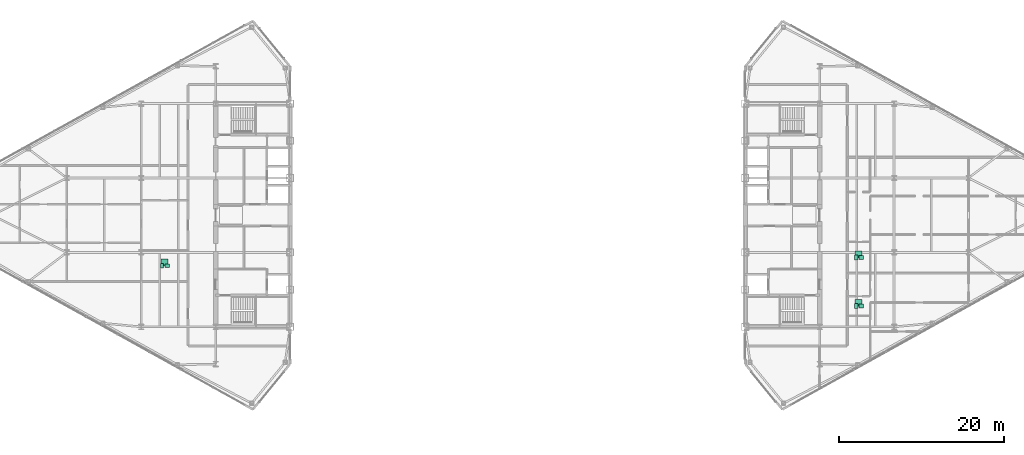
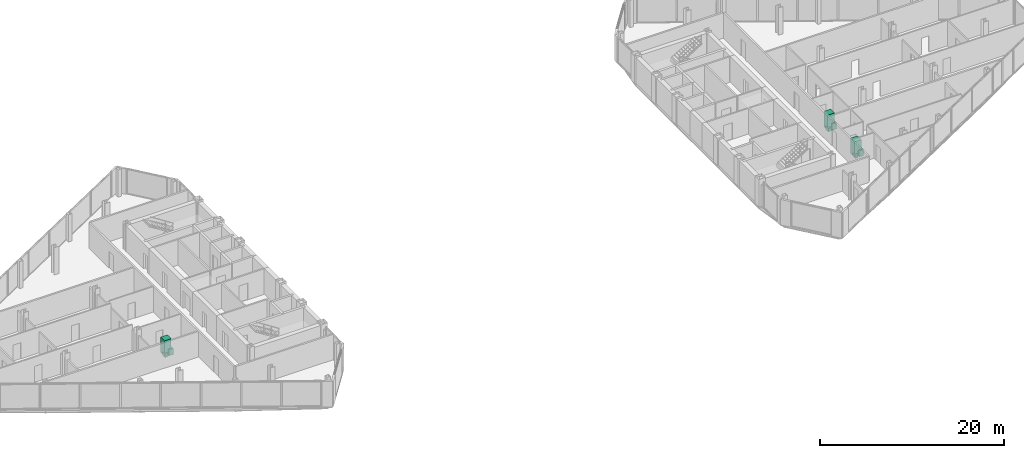
# One storey, part 26 of 26: 9 sanitary terminals.
"""IFC4 building model written with IfcOpenShell, lengths in metres."""

from ifc_helpers import new_model, si_unit, direction, frame, origin, origin_2d, place, context, subcontext, project, spatial, rectangle, extrude, source, transform, mapped, material, type_object, type_shapes, element, save


model = new_model("IFC4")

# Units and contexts
model_context = context("Model", 3, precision=1e-05, world=origin(), true_north=direction((0.0, 1.0)))
body_context = subcontext(model_context, "Body", "Model", "MODEL_VIEW")
ifc_project = project(units=[si_unit("LENGTHUNIT", "METRE"), si_unit("AREAUNIT", "SQUARE_METRE"), si_unit("VOLUMEUNIT", "CUBIC_METRE"), si_unit("PLANEANGLEUNIT", "RADIAN"), si_unit("MASSUNIT", "GRAM", prefix="KILO")], contexts=[model_context])

# Site, building, storey
site_placement = place(None, origin())
site = spatial("IfcSite", under=ifc_project, at=site_placement, CompositionType="ELEMENT")
building_placement = place(site_placement, origin())
building = spatial("IfcBuilding", under=site, at=building_placement, Name="Seokmaru Belvedere", CompositionType="ELEMENT")
storey_placement = place(building_placement, frame((0.0, 0.0, 170.699951171875)))
storey = spatial("IfcBuildingStorey", under=building, at=storey_placement, Name="L45", CompositionType="ELEMENT", Elevation=170.699951171875)

# Sanitary terminals
ifc_material_1 = material(Name="Vitreous China Sanitaryware")
sanitary_terminal_type_1 = type_object("IfcSanitaryTerminalType", Name="Wall-Hung Vitreous China WC Pan", PredefinedType="TOILETPAN", material=ifc_material_1)
shared_shape_1 = source(origin(), body_context, "Body", "SweptSolid", [
    extrude(rectangle(XDim=0.3798828125, YDim=0.56005859375, at=origin_2d()), origin(), (0.0, 0.0, 1.0), 0.419921875),
])
type_shapes(sanitary_terminal_type_1, [shared_shape_1])
for number, where, z_axis, x_axis, name in (
    (1, (-42.97509765625, -6.111083984375, 0.0), (0.0, 0.0, 1.0), (1.0, 0.0, 0.0), "L45 Vitreous China WC 0235"),
    (2, (40.925048828125, -10.969970703125, 0.0), (0.0, 0.0, 1.0), (1.0, 0.0, 0.0), "L45 Vitreous China WC 0236"),
    (3, (40.925048828125, -5.111083984375, 0.0), (0.0, 0.0, 1.0), (1.0, 0.0, 0.0), "L45 Vitreous China WC 0237"),
):
    element("IfcSanitaryTerminal", number, at=place(storey_placement, frame(where, z_axis=z_axis, x_axis=x_axis)), inside=storey, type_object=sanitary_terminal_type_1, Name=name, PredefinedType="TOILETPAN", context=body_context, shape_type="MappedRepresentation", body=[
        mapped(shared_shape_1, transform((0.0, 0.0, 0.0), scale=1.0)),
    ])
sanitary_terminal_type_2 = type_object("IfcSanitaryTerminalType", Name="Countertop Ceramic Washhand Basin", PredefinedType="WASHHANDBASIN", material=ifc_material_1)
shared_shape_2 = source(origin(), body_context, "Body", "SweptSolid", [
    extrude(rectangle(XDim=0.550048828125, YDim=0.449951171875, at=origin_2d()), origin(), (0.0, 0.0, 1.0), 0.820068359375),
])
type_shapes(sanitary_terminal_type_2, [shared_shape_2])
for number, where, z_axis, x_axis, name in (
    (4, (-42.375, -6.111083984375, 0.0), (0.0, 0.0, 1.0), (1.0, 0.0, 0.0), "L45 Ceramic Washhand Basin 0235"),
    (5, (41.52490234375, -10.969970703125, 0.0), (0.0, 0.0, 1.0), (1.0, 0.0, 0.0), "L45 Ceramic Washhand Basin 0236"),
    (6, (41.52490234375, -5.111083984375, 0.0), (0.0, 0.0, 1.0), (1.0, 0.0, 0.0), "L45 Ceramic Washhand Basin 0237"),
):
    element("IfcSanitaryTerminal", number, at=place(storey_placement, frame(where, z_axis=z_axis, x_axis=x_axis)), inside=storey, type_object=sanitary_terminal_type_2, Name=name, PredefinedType="WASHHANDBASIN", context=body_context, shape_type="MappedRepresentation", body=[
        mapped(shared_shape_2, transform((0.0, 0.0, 0.0), scale=1.0)),
    ])
ifc_material_2 = material(Name="Stainless Steel 316", Category="steel")
sanitary_terminal_type_3 = type_object("IfcSanitaryTerminalType", Name="Walk-In Thermostatic Rain Shower Enclosure", PredefinedType="SHOWER", material=ifc_material_2)
shared_shape_3 = source(origin(), body_context, "Body", "SweptSolid", [
    extrude(rectangle(XDim=0.85009765625, YDim=0.85009765625, at=origin_2d()), origin(), (0.0, 0.0, 1.0), 2.050048828125),
])
type_shapes(sanitary_terminal_type_3, [shared_shape_3])
for number, where, z_axis, x_axis, name in (
    (7, (-42.675048828125, -5.73095703125, 0.0), (0.0, 0.0, 1.0), (1.0, 0.0, 0.0), "L45 Walk-In Shower 0235"),
    (8, (41.22509765625, -10.590087890625, 0.0), (0.0, 0.0, 1.0), (1.0, 0.0, 0.0), "L45 Walk-In Shower 0236"),
    (9, (41.22509765625, -4.73095703125, 0.0), (0.0, 0.0, 1.0), (1.0, 0.0, 0.0), "L45 Walk-In Shower 0237"),
):
    element("IfcSanitaryTerminal", number, at=place(storey_placement, frame(where, z_axis=z_axis, x_axis=x_axis)), inside=storey, type_object=sanitary_terminal_type_3, Name=name, PredefinedType="SHOWER", context=body_context, shape_type="MappedRepresentation", body=[
        mapped(shared_shape_3, transform((0.0, 0.0, 0.0), scale=1.0)),
    ])

save(model, "model.ifc")
